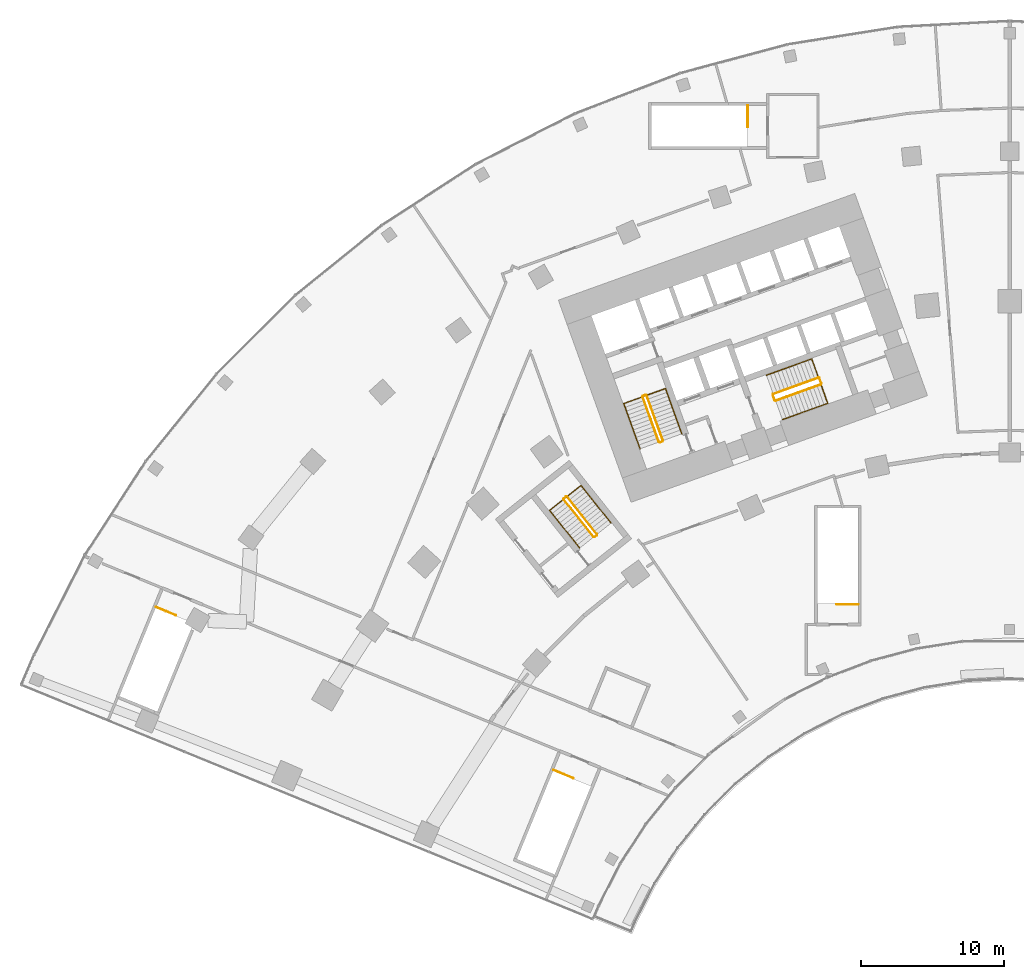
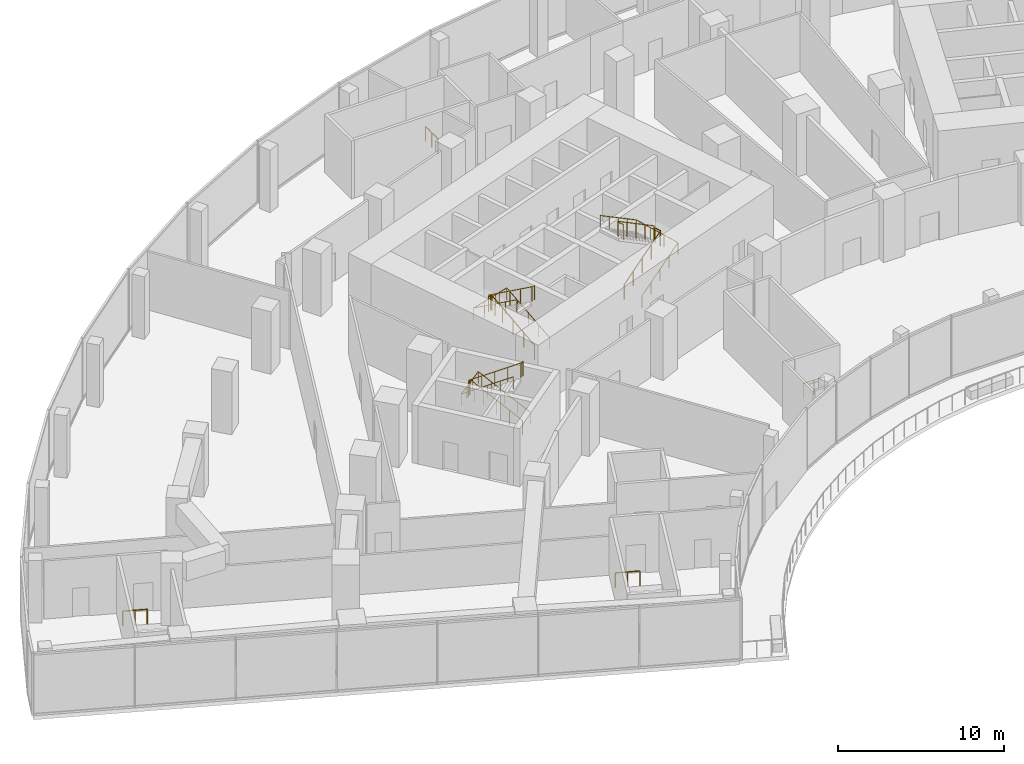
# One storey, part 31 of 33: 13 railings.
"""IFC4 building model written with IfcOpenShell, lengths in metres."""

from ifc_helpers import new_model, si_unit, direction, frame, origin, origin_2d, place, context, subcontext, project, spatial, circle, extrude, material, type_object, element, save


model = new_model("IFC4")

# Units and contexts
model_context = context("Model", 3, precision=1e-05, world=origin(), true_north=direction((0.0, 1.0)))
body_context = subcontext(model_context, "Body", "Model", "MODEL_VIEW")
ifc_project = project(units=[si_unit("LENGTHUNIT", "METRE"), si_unit("AREAUNIT", "SQUARE_METRE"), si_unit("VOLUMEUNIT", "CUBIC_METRE"), si_unit("PLANEANGLEUNIT", "RADIAN"), si_unit("MASSUNIT", "GRAM", prefix="KILO")], contexts=[model_context])

# Site, building, storey
site_placement = place(None, origin())
site = spatial("IfcSite", under=ifc_project, at=site_placement, CompositionType="ELEMENT")
building_placement = place(site_placement, origin())
building = spatial("IfcBuilding", under=site, at=building_placement, Name="Stone Belt Terrace Tower", CompositionType="ELEMENT")
storey_placement = place(building_placement, frame((0.0, 0.0, 25.39990234375)))
storey = spatial("IfcBuildingStorey", under=building, at=storey_placement, Name="L05", CompositionType="ELEMENT", Elevation=25.39990234375)

# Railings
ifc_material_1 = material(Name="Steel balustrade", Category="steel")
railing_type_1 = type_object("IfcRailingType", Name="Podium stair guard", PredefinedType="GUARDRAIL", material=ifc_material_1)
for number, where, name in (
    (1, (-31.86083984375, 22.266357421875, 0.0), "L05 PS1 top well guard 1"),
    (2, (-59.61962890625, 33.6435546875, 0.0), "L05 PS2 top well guard 1"),
):
    element("IfcRailing", number, at=place(storey_placement, frame(where)), inside=storey, type_object=railing_type_1, Name=name, PredefinedType="GUARDRAIL", context=body_context, shape_type="SweptSolid", body=[
        extrude(circle(Radius=0.02392578125, at=origin_2d()), frame((0.0, 0.0, 1.076171875), z_axis=(0.925300457224, -0.379234839988, 0.0), x_axis=(0.379234839988, 0.925300457224, 0.0)), (0.0, 0.0, 1.0), 1.5),
        extrude(circle(Radius=0.02099609375, at=origin_2d()), origin(), (0.0, 0.0, 1.0), 1.052001953125),
        extrude(circle(Radius=0.02099609375, at=origin_2d()), frame((0.69384765625, -0.284423828125, 0.0)), (0.0, 0.0, 1.0), 1.052001953125),
        extrude(circle(Radius=0.02099609375, at=origin_2d()), frame((1.387939453125, -0.56884765625, 0.0)), (0.0, 0.0, 1.0), 1.052001953125),
    ])
railing_1_placement = place(storey_placement, frame((-10.574951171875, 33.840087890625, 0.0)))
element("IfcRailing", 3, at=railing_1_placement, inside=storey, type_object=railing_type_1, Name="L05 PS5 top well guard 1", PredefinedType="GUARDRAIL", context=body_context, shape_type="SweptSolid", body=[
    extrude(circle(Radius=0.02392578125, at=origin_2d()), frame((0.0, 0.0, 1.076171875), z_axis=(-1.0, 0.0, 0.0), x_axis=(0.0, -1.0, 0.0)), (0.0, 0.0, 1.0), 1.5),
    extrude(circle(Radius=0.02099609375, at=origin_2d()), origin(), (0.0, 0.0, 1.0), 1.052001953125),
    extrude(circle(Radius=0.02099609375, at=origin_2d()), frame((-0.75, 0.0, 0.0)), (0.0, 0.0, 1.0), 1.052001953125),
    extrude(circle(Radius=0.02099609375, at=origin_2d()), frame((-1.5, 0.0, 0.0)), (0.0, 0.0, 1.0), 1.052001953125),
])
railing_2_placement = place(storey_placement, frame((-18.2900390625, 68.675048828125, 0.0)))
element("IfcRailing", 4, at=railing_2_placement, inside=storey, type_object=railing_type_1, Name="L05 PS7 top well guard 1", PredefinedType="GUARDRAIL", context=body_context, shape_type="SweptSolid", body=[
    extrude(circle(Radius=0.02392578125, at=origin_2d()), frame((0.0, 0.0, 1.076171875), z_axis=(0.0, -1.0, 0.0), x_axis=(1.0, 0.0, 0.0)), (0.0, 0.0, 1.0), 1.5),
    extrude(circle(Radius=0.02099609375, at=origin_2d()), origin(), (0.0, 0.0, 1.0), 1.052001953125),
    extrude(circle(Radius=0.02099609375, at=origin_2d()), frame((0.0, -0.75, 0.0)), (0.0, 0.0, 1.0), 1.052001953125),
    extrude(circle(Radius=0.02099609375, at=origin_2d()), frame((0.0, -1.5, 0.0)), (0.0, 0.0, 1.0), 1.052001953125),
])
ifc_material_2 = material(Name="Structural steel C345", Category="steel")
railing_type_2 = type_object("IfcRailingType", Name="Stair guard 1100", PredefinedType="GUARDRAIL", material=ifc_material_2)
railing_3_placement = place(storey_placement, frame((-24.2119140625, 45.276123046875, 0.177001953125)))
element("IfcRailing", 5, at=railing_3_placement, inside=storey, type_object=railing_type_2, Name="L05 ST1A stair guard 1", PredefinedType="GUARDRAIL", context=body_context, shape_type="SweptSolid", body=[
    extrude(circle(Radius=0.02392578125, at=origin_2d()), frame((0.0, 0.0, 1.076171875), z_axis=(-0.286311103083, 0.795417823175, 0.534168923494), x_axis=(-0.940902231577, -0.338678299589, 0.0)), (0.0, 0.0, 1.0), 3.974365234375),
    extrude(circle(Radius=0.02392578125, at=origin_2d()), frame((-1.137939453125, 3.161376953125, 3.19921875), z_axis=(-0.903878284585, 0.427789722475, 0.0), x_axis=(-0.427789722475, -0.903878284585, 0.0)), (0.0, 0.0, 1.0), 0.07080078125),
    extrude(circle(Radius=0.02392578125, at=origin_2d()), frame((-1.201904296875, 3.191650390625, 3.19921875), z_axis=(-0.940575576748, -0.339584429008, 0.0), x_axis=(0.339584429008, -0.940575576748, 0.0)), (0.0, 0.0, 1.0), 0.199951171875),
    extrude(circle(Radius=0.02099609375, at=origin_2d()), origin(), (0.0, 0.0, 1.0), 1.052001953125),
    extrude(circle(Radius=0.02099609375, at=origin_2d()), frame((-0.284423828125, 0.790283203125, 0.53076171875)), (0.0, 0.0, 1.0), 1.052001953125),
    extrude(circle(Radius=0.02099609375, at=origin_2d()), frame((-0.56884765625, 1.58056640625, 1.0615234375)), (0.0, 0.0, 1.0), 1.052001953125),
    extrude(circle(Radius=0.02099609375, at=origin_2d()), frame((-0.853515625, 2.37109375, 1.59228515625)), (0.0, 0.0, 1.0), 1.052001953125),
    extrude(circle(Radius=0.02099609375, at=origin_2d()), frame((-1.137939453125, 3.161376953125, 2.123046875)), (0.0, 0.0, 1.0), 1.052001953125),
    extrude(circle(Radius=0.02099609375, at=origin_2d()), frame((-1.201904296875, 3.191650390625, 2.123046875)), (0.0, 0.0, 1.0), 1.052001953125),
    extrude(circle(Radius=0.02099609375, at=origin_2d()), frame((-1.389892578125, 3.123779296875, 2.123046875)), (0.0, 0.0, 1.0), 1.052001953125),
])
railing_4_placement = place(storey_placement, frame((-25.632080078125, 48.3359375, 2.47705078125)))
element("IfcRailing", 6, at=railing_4_placement, inside=storey, type_object=railing_type_2, Name="L05 ST1A stair guard 2", PredefinedType="GUARDRAIL", context=body_context, shape_type="SweptSolid", body=[
    extrude(circle(Radius=0.02392578125, at=origin_2d()), frame((0.0, 0.0, 1.076171875), z_axis=(0.286311103083, -0.795417823175, 0.534168923494), x_axis=(0.940902231577, 0.338678299589, 0.0)), (0.0, 0.0, 1.0), 3.974365234375),
    extrude(circle(Radius=0.02392578125, at=origin_2d()), frame((1.137939453125, -3.161376953125, 3.19921875), z_axis=(0.903878284585, -0.427789722475, 0.0), x_axis=(0.427789722475, 0.903878284585, 0.0)), (0.0, 0.0, 1.0), 0.07080078125),
    extrude(circle(Radius=0.02392578125, at=origin_2d()), frame((1.201904296875, -3.191650390625, 3.19921875), z_axis=(0.940575576748, 0.339584429008, 0.0), x_axis=(-0.339584429008, 0.940575576748, 0.0)), (0.0, 0.0, 1.0), 0.199951171875),
    extrude(circle(Radius=0.02099609375, at=origin_2d()), origin(), (0.0, 0.0, 1.0), 1.052001953125),
    extrude(circle(Radius=0.02099609375, at=origin_2d()), frame((0.284423828125, -0.790283203125, 0.53076171875)), (0.0, 0.0, 1.0), 1.052001953125),
    extrude(circle(Radius=0.02099609375, at=origin_2d()), frame((0.56884765625, -1.58056640625, 1.0615234375)), (0.0, 0.0, 1.0), 1.052001953125),
    extrude(circle(Radius=0.02099609375, at=origin_2d()), frame((0.853515625, -2.37109375, 1.59228515625)), (0.0, 0.0, 1.0), 1.052001953125),
    extrude(circle(Radius=0.02099609375, at=origin_2d()), frame((1.137939453125, -3.161376953125, 2.123046875)), (0.0, 0.0, 1.0), 1.052001953125),
    extrude(circle(Radius=0.02099609375, at=origin_2d()), frame((1.201904296875, -3.191650390625, 2.123046875)), (0.0, 0.0, 1.0), 1.052001953125),
    extrude(circle(Radius=0.02099609375, at=origin_2d()), frame((1.389892578125, -3.123779296875, 2.123046875)), (0.0, 0.0, 1.0), 1.052001953125),
])
railing_5_placement = place(storey_placement, frame((-16.33837890625, 48.056640625, 0.177001953125)))
element("IfcRailing", 7, at=railing_5_placement, inside=storey, type_object=railing_type_2, Name="L05 ST2A stair guard 1", PredefinedType="GUARDRAIL", context=body_context, shape_type="SweptSolid", body=[
    extrude(circle(Radius=0.02392578125, at=origin_2d()), frame((0.0, 0.0, 1.076171875), z_axis=(0.79545437138, 0.286240723601, 0.53415221726), x_axis=(-0.338590819614, 0.940933715451, 0.0)), (0.0, 0.0, 1.0), 3.974609375),
    extrude(circle(Radius=0.02392578125, at=origin_2d()), frame((3.16162109375, 1.1376953125, 3.19921875), z_axis=(0.424964916, 0.905209821074, 0.0), x_axis=(-0.905209821074, 0.424964916, 0.0)), (0.0, 0.0, 1.0), 0.070556640625),
    extrude(circle(Radius=0.02392578125, at=origin_2d()), frame((3.191650390625, 1.20166015625, 3.19921875), z_axis=(-0.338654645739, 0.940910745459, 0.0), x_axis=(-0.940910745459, -0.338654645739, 0.0)), (0.0, 0.0, 1.0), 0.400146484375),
    extrude(circle(Radius=0.02099609375, at=origin_2d()), origin(), (0.0, 0.0, 1.0), 1.052001953125),
    extrude(circle(Radius=0.02099609375, at=origin_2d()), frame((0.79052734375, 0.284423828125, 0.53076171875)), (0.0, 0.0, 1.0), 1.052001953125),
    extrude(circle(Radius=0.02099609375, at=origin_2d()), frame((1.580810546875, 0.56884765625, 1.0615234375)), (0.0, 0.0, 1.0), 1.052001953125),
    extrude(circle(Radius=0.02099609375, at=origin_2d()), frame((2.37109375, 0.853271484375, 1.59228515625)), (0.0, 0.0, 1.0), 1.052001953125),
    extrude(circle(Radius=0.02099609375, at=origin_2d()), frame((3.16162109375, 1.1376953125, 2.123046875)), (0.0, 0.0, 1.0), 1.052001953125),
    extrude(circle(Radius=0.02099609375, at=origin_2d()), frame((3.191650390625, 1.20166015625, 2.123046875)), (0.0, 0.0, 1.0), 1.052001953125),
    extrude(circle(Radius=0.02099609375, at=origin_2d()), frame((3.05615234375, 1.578125, 2.123046875)), (0.0, 0.0, 1.0), 1.052001953125),
])
railing_6_placement = place(storey_placement, frame((-13.34619140625, 49.664794921875, 2.47705078125)))
element("IfcRailing", 8, at=railing_6_placement, inside=storey, type_object=railing_type_2, Name="L05 ST2A stair guard 2", PredefinedType="GUARDRAIL", context=body_context, shape_type="SweptSolid", body=[
    extrude(circle(Radius=0.02392578125, at=origin_2d()), frame((0.0, 0.0, 1.076171875), z_axis=(-0.795431811234, -0.286254710043, 0.534178317283), x_axis=(0.338613969627, -0.9409253847, 0.0)), (0.0, 0.0, 1.0), 3.974365234375),
    extrude(circle(Radius=0.02392578125, at=origin_2d()), frame((-3.161376953125, -1.1376953125, 3.19921875), z_axis=(-0.427789722475, -0.903878284585, 0.0), x_axis=(0.903878284585, -0.427789722475, 0.0)), (0.0, 0.0, 1.0), 0.07080078125),
    extrude(circle(Radius=0.02392578125, at=origin_2d()), frame((-3.191650390625, -1.20166015625, 3.19921875), z_axis=(0.338654645739, -0.940910745459, 0.0), x_axis=(0.940910745459, 0.338654645739, 0.0)), (0.0, 0.0, 1.0), 0.400146484375),
    extrude(circle(Radius=0.02099609375, at=origin_2d()), origin(), (0.0, 0.0, 1.0), 1.052001953125),
    extrude(circle(Radius=0.02099609375, at=origin_2d()), frame((-0.790283203125, -0.284423828125, 0.53076171875)), (0.0, 0.0, 1.0), 1.052001953125),
    extrude(circle(Radius=0.02099609375, at=origin_2d()), frame((-1.58056640625, -0.56884765625, 1.0615234375)), (0.0, 0.0, 1.0), 1.052001953125),
    extrude(circle(Radius=0.02099609375, at=origin_2d()), frame((-2.37109375, -0.853271484375, 1.59228515625)), (0.0, 0.0, 1.0), 1.052001953125),
    extrude(circle(Radius=0.02099609375, at=origin_2d()), frame((-3.161376953125, -1.1376953125, 2.123046875)), (0.0, 0.0, 1.0), 1.052001953125),
    extrude(circle(Radius=0.02099609375, at=origin_2d()), frame((-3.191650390625, -1.20166015625, 2.123046875)), (0.0, 0.0, 1.0), 1.052001953125),
    extrude(circle(Radius=0.02099609375, at=origin_2d()), frame((-3.05615234375, -1.578125, 2.123046875)), (0.0, 0.0, 1.0), 1.052001953125),
])
railing_7_placement = place(storey_placement, frame((-28.814208984375, 38.734619140625, 0.177001953125)))
element("IfcRailing", 9, at=railing_7_placement, inside=storey, type_object=railing_type_2, Name="L05 ST3A stair guard 1", PredefinedType="GUARDRAIL", context=body_context, shape_type="SweptSolid", body=[
    extrude(circle(Radius=0.02392578125, at=origin_2d()), frame((0.0, 0.0, 1.076171875), z_axis=(-0.526787798416, 0.661187483926, 0.534158896341), x_axis=(-0.782114881682, -0.623134264707, 0.0)), (0.0, 0.0, 1.0), 3.974609375),
    extrude(circle(Radius=0.02392578125, at=origin_2d()), frame((-2.09375, 2.6279296875, 3.19921875), z_axis=(-0.993883734674, 0.110431526075, 0.0), x_axis=(-0.110431526075, -0.993883734674, 0.0)), (0.0, 0.0, 1.0), 0.07080078125),
    extrude(circle(Radius=0.02392578125, at=origin_2d()), frame((-2.1640625, 2.6357421875, 3.19921875), z_axis=(-0.782059551443, -0.623203705056, 0.0), x_axis=(0.623203705056, -0.782059551443, 0.0)), (0.0, 0.0, 1.0), 0.19970703125),
    extrude(circle(Radius=0.02099609375, at=origin_2d()), origin(), (0.0, 0.0, 1.0), 1.052001953125),
    extrude(circle(Radius=0.02099609375, at=origin_2d()), frame((-0.5234375, 0.656982421875, 0.53076171875)), (0.0, 0.0, 1.0), 1.052001953125),
    extrude(circle(Radius=0.02099609375, at=origin_2d()), frame((-1.046875, 1.31396484375, 1.0615234375)), (0.0, 0.0, 1.0), 1.052001953125),
    extrude(circle(Radius=0.02099609375, at=origin_2d()), frame((-1.5703125, 1.970947265625, 1.59228515625)), (0.0, 0.0, 1.0), 1.052001953125),
    extrude(circle(Radius=0.02099609375, at=origin_2d()), frame((-2.09375, 2.6279296875, 2.123046875)), (0.0, 0.0, 1.0), 1.052001953125),
    extrude(circle(Radius=0.02099609375, at=origin_2d()), frame((-2.1640625, 2.6357421875, 2.123046875)), (0.0, 0.0, 1.0), 1.052001953125),
    extrude(circle(Radius=0.02099609375, at=origin_2d()), frame((-2.3203125, 2.51123046875, 2.123046875)), (0.0, 0.0, 1.0), 1.052001953125),
])
railing_8_placement = place(storey_placement, frame((-31.142578125, 41.175537109375, 2.47705078125)))
element("IfcRailing", 10, at=railing_8_placement, inside=storey, type_object=railing_type_2, Name="L05 ST3A stair guard 2", PredefinedType="GUARDRAIL", context=body_context, shape_type="SweptSolid", body=[
    extrude(circle(Radius=0.02392578125, at=origin_2d()), frame((0.0, 0.0, 1.076171875), z_axis=(0.526787798416, -0.661187483926, 0.534158896341), x_axis=(0.782114881682, 0.623134264707, 0.0)), (0.0, 0.0, 1.0), 3.974609375),
    extrude(circle(Radius=0.02392578125, at=origin_2d()), frame((2.09375, -2.6279296875, 3.19921875), z_axis=(0.993499272973, -0.113838458361, 0.0), x_axis=(0.113838458361, 0.993499272973, 0.0)), (0.0, 0.0, 1.0), 0.07080078125),
    extrude(circle(Radius=0.02392578125, at=origin_2d()), frame((2.1640625, -2.635986328125, 3.19921875), z_axis=(0.781464082609, 0.623950228458, 0.0), x_axis=(-0.623950228458, 0.781464082609, 0.0)), (0.0, 0.0, 1.0), 0.199951171875),
    extrude(circle(Radius=0.02099609375, at=origin_2d()), origin(), (0.0, 0.0, 1.0), 1.052001953125),
    extrude(circle(Radius=0.02099609375, at=origin_2d()), frame((0.5234375, -0.656982421875, 0.53076171875)), (0.0, 0.0, 1.0), 1.052001953125),
    extrude(circle(Radius=0.02099609375, at=origin_2d()), frame((1.046875, -1.31396484375, 1.0615234375)), (0.0, 0.0, 1.0), 1.052001953125),
    extrude(circle(Radius=0.02099609375, at=origin_2d()), frame((1.5703125, -1.970947265625, 1.59228515625)), (0.0, 0.0, 1.0), 1.052001953125),
    extrude(circle(Radius=0.02099609375, at=origin_2d()), frame((2.09375, -2.6279296875, 2.123046875)), (0.0, 0.0, 1.0), 1.052001953125),
    extrude(circle(Radius=0.02099609375, at=origin_2d()), frame((2.1640625, -2.635986328125, 2.123046875)), (0.0, 0.0, 1.0), 1.052001953125),
    extrude(circle(Radius=0.02099609375, at=origin_2d()), frame((2.3203125, -2.51123046875, 2.123046875)), (0.0, 0.0, 1.0), 1.052001953125),
])
railing_type_3 = type_object("IfcRailingType", Name="Stair handrail 900", PredefinedType="HANDRAIL", material=ifc_material_2)
railing_9_placement = place(storey_placement, frame((-22.894775390625, 45.750244140625, 0.177001953125)))
element("IfcRailing", 11, at=railing_9_placement, inside=storey, type_object=railing_type_3, Name="L05 ST1A stair handrail 1", PredefinedType="HANDRAIL", context=body_context, shape_type="SweptSolid", body=[
    extrude(circle(Radius=0.02392578125, at=origin_2d()), frame((0.0, 0.0, 0.8759765625), z_axis=(-0.286254710043, 0.795431811234, 0.534178317283), x_axis=(-0.9409253847, -0.338613969627, 0.0)), (0.0, 0.0, 1.0), 3.974365234375),
    extrude(circle(Radius=0.02392578125, at=origin_2d()), frame((-1.1376953125, 3.161376953125, 2.9990234375), z_axis=(-0.939380425775, -0.338104614617, 0.057006010604), x_axis=(0.338655323994, -0.940910501339, 0.0)), (0.0, 0.0, 1.0), 3.10498046875),
    extrude(circle(Radius=0.02392578125, at=origin_2d()), frame((-4.054443359375, 2.111572265625, 3.17578125), z_axis=(0.286254710043, -0.795431811234, 0.534178317283), x_axis=(0.9409253847, 0.338613969627, 0.0)), (0.0, 0.0, 1.0), 3.974365234375),
    extrude(circle(Radius=0.02099609375, at=origin_2d()), origin(), (0.0, 0.0, 1.0), 0.851806640625),
    extrude(circle(Radius=0.02099609375, at=origin_2d()), frame((-0.284423828125, 0.790283203125, 0.53076171875)), (0.0, 0.0, 1.0), 0.851806640625),
    extrude(circle(Radius=0.02099609375, at=origin_2d()), frame((-0.56884765625, 1.58056640625, 1.0615234375)), (0.0, 0.0, 1.0), 0.851806640625),
    extrude(circle(Radius=0.02099609375, at=origin_2d()), frame((-0.853271484375, 2.37109375, 1.59228515625)), (0.0, 0.0, 1.0), 0.851806640625),
    extrude(circle(Radius=0.02099609375, at=origin_2d()), frame((-1.1376953125, 3.161376953125, 2.123046875)), (0.0, 0.0, 1.0), 0.851806640625),
    extrude(circle(Radius=0.02099609375, at=origin_2d()), frame((-2.10986328125, 2.8115234375, 2.18212890625)), (0.0, 0.0, 1.0), 0.851806640625),
    extrude(circle(Radius=0.02099609375, at=origin_2d()), frame((-3.082275390625, 2.46142578125, 2.240966796875)), (0.0, 0.0, 1.0), 0.851806640625),
    extrude(circle(Radius=0.02099609375, at=origin_2d()), frame((-4.054443359375, 2.111572265625, 2.300048828125)), (0.0, 0.0, 1.0), 0.851806640625),
    extrude(circle(Radius=0.02099609375, at=origin_2d()), frame((-3.77001953125, 1.3212890625, 2.830810546875)), (0.0, 0.0, 1.0), 0.851806640625),
    extrude(circle(Radius=0.02099609375, at=origin_2d()), frame((-3.485595703125, 0.53076171875, 3.361572265625)), (0.0, 0.0, 1.0), 0.851806640625),
    extrude(circle(Radius=0.02099609375, at=origin_2d()), frame((-3.201171875, -0.259521484375, 3.892333984375)), (0.0, 0.0, 1.0), 0.851806640625),
    extrude(circle(Radius=0.02099609375, at=origin_2d()), frame((-2.916748046875, -1.0498046875, 4.423095703125)), (0.0, 0.0, 1.0), 0.851806640625),
])
railing_10_placement = place(storey_placement, frame((-15.8642578125, 46.7392578125, 0.177001953125)))
element("IfcRailing", 12, at=railing_10_placement, inside=storey, type_object=railing_type_3, Name="L05 ST2A stair handrail 1", PredefinedType="HANDRAIL", context=body_context, shape_type="SweptSolid", body=[
    extrude(circle(Radius=0.02392578125, at=origin_2d()), frame((0.0, 0.0, 0.8759765625), z_axis=(0.795431811234, 0.286254710043, 0.534178317283), x_axis=(-0.338613969627, 0.9409253847, 0.0)), (0.0, 0.0, 1.0), 3.974365234375),
    extrude(circle(Radius=0.02392578125, at=origin_2d()), frame((3.161376953125, 1.1376953125, 2.9990234375), z_axis=(-0.338112997137, 0.939580338779, 0.053557335138), x_axis=(-0.940930785231, -0.338598962497, 0.0)), (0.0, 0.0, 1.0), 3.304931640625),
    extrude(circle(Radius=0.02392578125, at=origin_2d()), frame((2.0439453125, 4.242919921875, 3.17578125), z_axis=(-0.795417823175, -0.286311103083, 0.534168923494), x_axis=(0.338678299589, -0.940902231577, 0.0)), (0.0, 0.0, 1.0), 3.974365234375),
    extrude(circle(Radius=0.02099609375, at=origin_2d()), origin(), (0.0, 0.0, 1.0), 0.851806640625),
    extrude(circle(Radius=0.02099609375, at=origin_2d()), frame((0.790283203125, 0.284423828125, 0.53076171875)), (0.0, 0.0, 1.0), 0.851806640625),
    extrude(circle(Radius=0.02099609375, at=origin_2d()), frame((1.58056640625, 0.56884765625, 1.0615234375)), (0.0, 0.0, 1.0), 0.851806640625),
    extrude(circle(Radius=0.02099609375, at=origin_2d()), frame((2.37109375, 0.853271484375, 1.59228515625)), (0.0, 0.0, 1.0), 0.851806640625),
    extrude(circle(Radius=0.02099609375, at=origin_2d()), frame((3.161376953125, 1.1376953125, 2.123046875)), (0.0, 0.0, 1.0), 0.851806640625),
    extrude(circle(Radius=0.02099609375, at=origin_2d()), frame((2.788818359375, 2.1728515625, 2.18212890625)), (0.0, 0.0, 1.0), 0.851806640625),
    extrude(circle(Radius=0.02099609375, at=origin_2d()), frame((2.41650390625, 3.207763671875, 2.240966796875)), (0.0, 0.0, 1.0), 0.851806640625),
    extrude(circle(Radius=0.02099609375, at=origin_2d()), frame((2.0439453125, 4.242919921875, 2.300048828125)), (0.0, 0.0, 1.0), 0.851806640625),
    extrude(circle(Radius=0.02099609375, at=origin_2d()), frame((1.253662109375, 3.95849609375, 2.830810546875)), (0.0, 0.0, 1.0), 0.851806640625),
    extrude(circle(Radius=0.02099609375, at=origin_2d()), frame((0.46337890625, 3.673828125, 3.361572265625)), (0.0, 0.0, 1.0), 0.851806640625),
    extrude(circle(Radius=0.02099609375, at=origin_2d()), frame((-0.3271484375, 3.389404296875, 3.892333984375)), (0.0, 0.0, 1.0), 0.851806640625),
    extrude(circle(Radius=0.02099609375, at=origin_2d()), frame((-1.117431640625, 3.10498046875, 4.423095703125)), (0.0, 0.0, 1.0), 0.851806640625),
])
railing_11_placement = place(storey_placement, frame((-27.836669921875, 39.513427734375, 0.177001953125)))
element("IfcRailing", 13, at=railing_11_placement, inside=storey, type_object=railing_type_3, Name="L05 ST3A stair handrail 1", PredefinedType="HANDRAIL", context=body_context, shape_type="SweptSolid", body=[
    extrude(circle(Radius=0.02392578125, at=origin_2d()), frame((0.0, 0.0, 0.8759765625), z_axis=(-0.52674341644, 0.661208878666, 0.534176180684), x_axis=(-0.782150293907, -0.623089815148, 0.0)), (0.0, 0.0, 1.0), 3.974365234375),
    extrude(circle(Radius=0.02392578125, at=origin_2d()), frame((-2.093505859375, 2.6279296875, 2.9990234375), z_axis=(-0.780585020538, -0.621857364188, 0.06309076253), x_axis=(0.623098705543, -0.782143211408, 0.0)), (0.0, 0.0, 1.0), 2.805419921875),
    extrude(circle(Radius=0.02392578125, at=origin_2d()), frame((-4.283447265625, 0.88330078125, 3.17578125), z_axis=(0.52674341644, -0.661208878666, 0.534176180684), x_axis=(0.782150293907, 0.623089815148, 0.0)), (0.0, 0.0, 1.0), 3.974365234375),
    extrude(circle(Radius=0.02099609375, at=origin_2d()), origin(), (0.0, 0.0, 1.0), 0.851806640625),
    extrude(circle(Radius=0.02099609375, at=origin_2d()), frame((-0.5234375, 0.656982421875, 0.53076171875)), (0.0, 0.0, 1.0), 0.851806640625),
    extrude(circle(Radius=0.02099609375, at=origin_2d()), frame((-1.046875, 1.31396484375, 1.0615234375)), (0.0, 0.0, 1.0), 0.851806640625),
    extrude(circle(Radius=0.02099609375, at=origin_2d()), frame((-1.570068359375, 1.970947265625, 1.59228515625)), (0.0, 0.0, 1.0), 0.851806640625),
    extrude(circle(Radius=0.02099609375, at=origin_2d()), frame((-2.093505859375, 2.6279296875, 2.123046875)), (0.0, 0.0, 1.0), 0.851806640625),
    extrude(circle(Radius=0.02099609375, at=origin_2d()), frame((-2.823486328125, 2.04638671875, 2.18212890625)), (0.0, 0.0, 1.0), 0.851806640625),
    extrude(circle(Radius=0.02099609375, at=origin_2d()), frame((-3.553466796875, 1.46484375, 2.240966796875)), (0.0, 0.0, 1.0), 0.851806640625),
    extrude(circle(Radius=0.02099609375, at=origin_2d()), frame((-4.283447265625, 0.88330078125, 2.300048828125)), (0.0, 0.0, 1.0), 0.851806640625),
    extrude(circle(Radius=0.02099609375, at=origin_2d()), frame((-3.760009765625, 0.226318359375, 2.830810546875)), (0.0, 0.0, 1.0), 0.851806640625),
    extrude(circle(Radius=0.02099609375, at=origin_2d()), frame((-3.23681640625, -0.4306640625, 3.361572265625)), (0.0, 0.0, 1.0), 0.851806640625),
    extrude(circle(Radius=0.02099609375, at=origin_2d()), frame((-2.71337890625, -1.087646484375, 3.892333984375)), (0.0, 0.0, 1.0), 0.851806640625),
    extrude(circle(Radius=0.02099609375, at=origin_2d()), frame((-2.18994140625, -1.74462890625, 4.423095703125)), (0.0, 0.0, 1.0), 0.851806640625),
])

save(model, "model.ifc")
